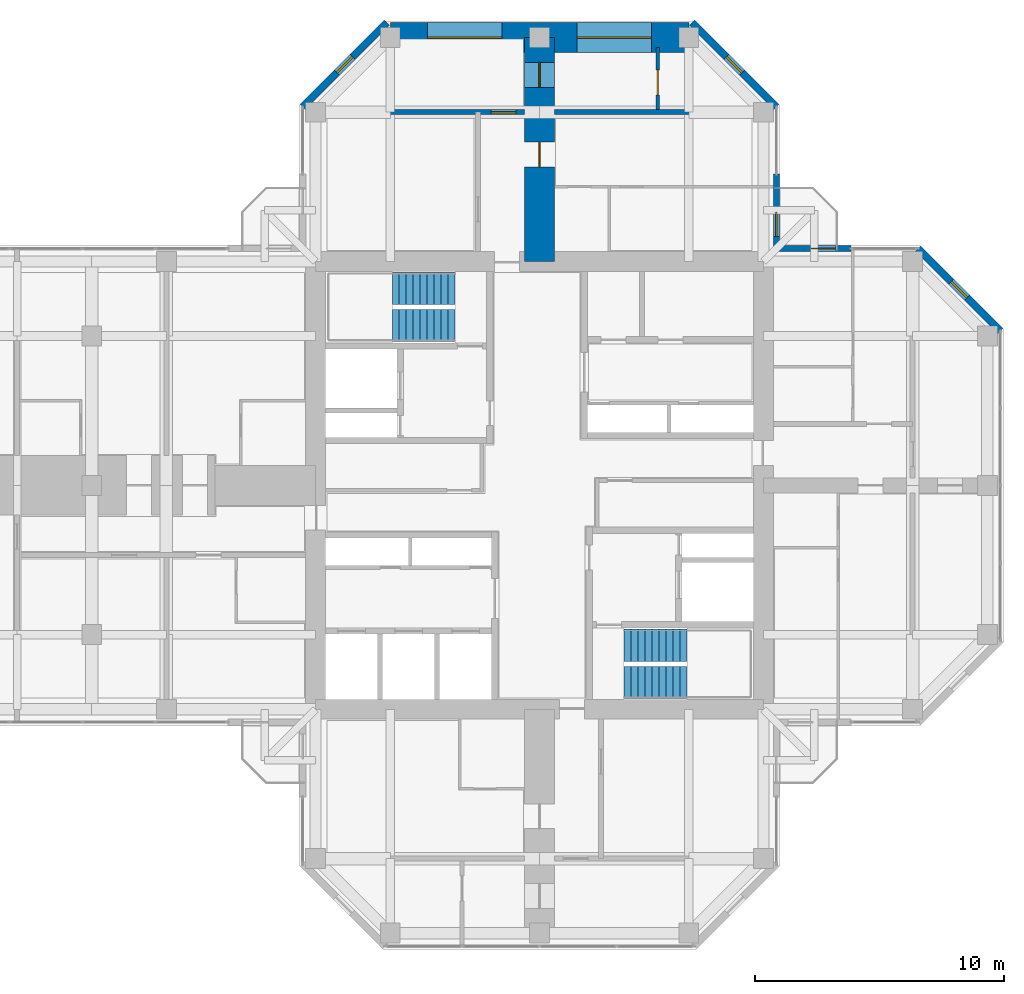
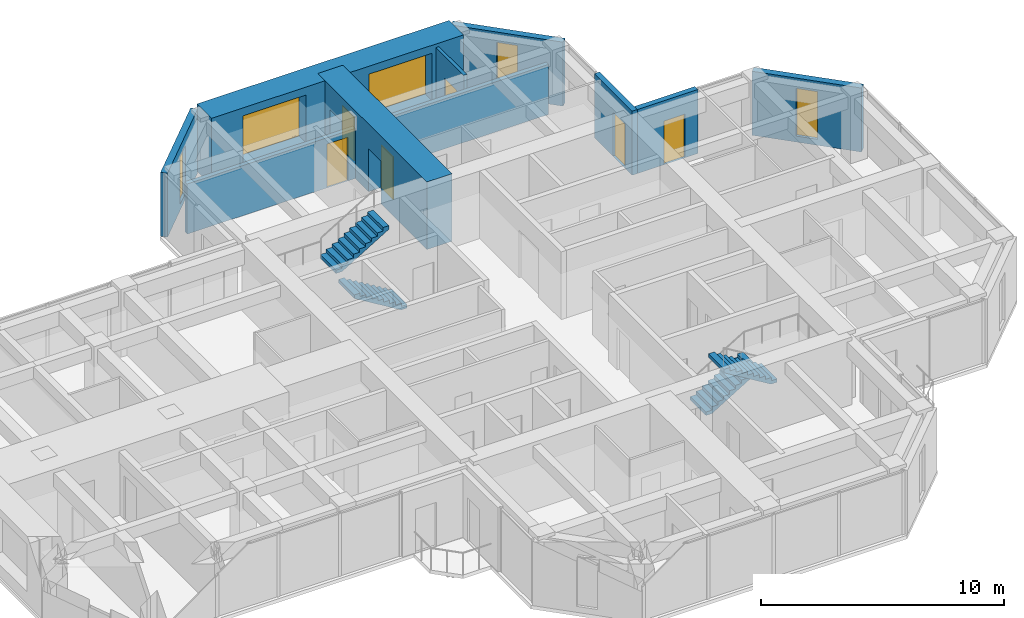
# One storey, part 12 of 13: 10 walls, 6 doors, 5 windows, 4 stair flights, 11 openings, 2 elements without a shape of their own.
"""IFC4 building model written with IfcOpenShell, lengths in metres."""

from ifc_helpers import new_model, si_unit, direction, frame, frame_2d, origin, place, context, subcontext, project, spatial, polyline, rectangle, hollow_rectangle, outline, extrude, material, layer, layer_set, constituent, constituent_set, type_object, element, fill, aggregate, save


model = new_model("IFC4")

# Units and contexts
model_context = context("Model", 3, precision=1e-05, world=origin(), true_north=direction((0.0, 1.0)))
body_context = subcontext(model_context, "Body", "Model", "MODEL_VIEW")
ifc_project = project(units=[si_unit("LENGTHUNIT", "METRE"), si_unit("AREAUNIT", "SQUARE_METRE"), si_unit("VOLUMEUNIT", "CUBIC_METRE"), si_unit("PLANEANGLEUNIT", "RADIAN"), si_unit("MASSUNIT", "GRAM", prefix="KILO")], contexts=[model_context])

# Site, building, storey
site_placement = place(None, origin())
site = spatial("IfcSite", under=ifc_project, at=site_placement, CompositionType="ELEMENT")
building_placement = place(site_placement, origin())
building = spatial("IfcBuilding", under=site, at=building_placement, Name="Torre Cruceta", CompositionType="ELEMENT")
storey_placement = place(building_placement, frame((0.0, 0.0, 245.89990234375)))
storey = spatial("IfcBuildingStorey", under=building, at=storey_placement, Name="L63", CompositionType="ELEMENT", Elevation=245.89990234375)

# Wall, opening, window
ifc_material_1 = material(Name="Concrete G30 (fck 30 MPa)", Category="concrete")
ifc_layer_1 = layer(ifc_material_1, 0.300048828125)
ifc_layer_set_1 = layer_set([ifc_layer_1], Name="Concrete G30 (fck 30 MPa)")
wall_type_1 = type_object("IfcWallType", Name="EXPOSED CONCRETE FACADE WALL 300", PredefinedType="SOLIDWALL", material=ifc_layer_set_1)
wall_1_placement = place(storey_placement, frame((18.52001953125, 6.21533203125, 0.0), z_axis=(0.0, 0.0, 1.0), x_axis=(-0.707106781187, 0.707106781187, 0.0)))
wall_1 = element("IfcWall", 1, at=wall_1_placement, inside=storey, type_object=wall_type_1, Name="EW1 facade wall L63 E chamfer 03", PredefinedType="SOLIDWALL", context=body_context, shape_type="SweptSolid", body=[
    extrude(rectangle(XDim=4.673583984375, YDim=0.300048828125, at=frame_2d((2.3369140625, 0.0))), origin(), (0.0, 0.0, 1.0), 3.22021484375),
])
opening_1_placement = place(wall_1_placement, frame((1.88671875, 0.0, 0.300048828125)))
opening_1 = element("IfcOpeningElement", 2, at=opening_1_placement, cuts=wall_1, Name="Opening WN5", PredefinedType="OPENING", context=body_context, shape_type="SweptSolid", body=[
    extrude(rectangle(XDim=0.89990234375, YDim=2.39990234375, at=frame_2d((0.449951171875, 1.199951171875))), frame((0.0, 0.159912109375, 0.0), z_axis=(0.0, -1.0, 0.0), x_axis=(1.0, 0.0, 0.0)), (0.0, 0.0, 1.0), 0.320068359375),
])
ifc_material_2 = material(Name="Aluminium window frame", Category="aluminium")
ifc_constituent_1 = constituent(ifc_material_2, Name="Frame")
ifc_material_3 = material(Name="Laminated insulating glass unit, low-iron clear", Category="glass")
ifc_constituent_2 = constituent(ifc_material_3, Name="Glazing")
ifc_constituent_set_1 = constituent_set(constituents=[ifc_constituent_1, ifc_constituent_2], Name="Aluminium window")
window_type_1 = type_object("IfcWindowType", Name="CHAMFER SLOT WINDOW 900X2400", PartitioningType="SINGLE_PANEL", PredefinedType="WINDOW", material=ifc_constituent_set_1)
window_1_placement = place(opening_1_placement, origin())
window_1 = element("IfcWindow", 3, at=window_1_placement, inside=storey, type_object=window_type_1, Name="WN5 L63 E 1", OverallHeight=2.39990234375, OverallWidth=0.89990234375, PartitioningType="SINGLE_PANEL", PredefinedType="WINDOW", context=body_context, shape_type="SweptSolid", body=[
    extrude(hollow_rectangle(XDim=0.89990234375, YDim=2.39990234375, WallThickness=0.06005859375, at=frame_2d((0.449951171875, 1.199951171875))), frame((0.0, 0.030029296875, 0.0), z_axis=(0.0, -1.0, 0.0), x_axis=(1.0, 0.0, 0.0)), (0.0, 0.0, 1.0), 0.06005859375),
    extrude(rectangle(XDim=0.77880859375, YDim=2.27880859375, at=frame_2d((0.449951171875, 1.199951171875))), frame((0.0, 0.030029296875, 0.0), z_axis=(0.0, -1.0, 0.0), x_axis=(1.0, 0.0, 0.0)), (0.0, 0.0, 1.0), 0.06005859375),
])
fill(opening_1, window_1)

wall_2_placement = place(storey_placement, frame((9.52001953125, 15.21533203125, 0.0), z_axis=(0.0, 0.0, 1.0), x_axis=(-0.707081278264, 0.707132283189, 0.0)))
wall_2 = element("IfcWall", 4, at=wall_2_placement, inside=storey, type_object=wall_type_1, Name="EW1 facade wall L63 N chamfer 06", PredefinedType="SOLIDWALL", context=body_context, shape_type="SweptSolid", body=[
    extrude(rectangle(XDim=4.78662109375, YDim=0.300048828125, at=frame_2d((2.393310546875, 0.0))), origin(), (0.0, 0.0, 1.0), 3.22021484375),
])
opening_2_placement = place(wall_2_placement, frame((1.943359375, 0.0, 0.300048828125)))
opening_2 = element("IfcOpeningElement", 5, at=opening_2_placement, cuts=wall_2, Name="Opening WN5", PredefinedType="OPENING", context=body_context, shape_type="SweptSolid", body=[
    extrude(rectangle(XDim=0.89990234375, YDim=2.39990234375, at=frame_2d((0.449951171875, 1.199951171875))), frame((0.0, 0.159912109375, 0.0), z_axis=(0.0, -1.0, 0.0), x_axis=(1.0, 0.0, 0.0)), (0.0, 0.0, 1.0), 0.320068359375),
])
window_2_placement = place(opening_2_placement, origin())
window_2 = element("IfcWindow", 6, at=window_2_placement, inside=storey, type_object=window_type_1, Name="WN5 L63 N 1", OverallHeight=2.39990234375, OverallWidth=0.89990234375, PartitioningType="SINGLE_PANEL", PredefinedType="WINDOW", context=body_context, shape_type="SweptSolid", body=[
    extrude(hollow_rectangle(XDim=0.89990234375, YDim=2.39990234375, WallThickness=0.06005859375, at=frame_2d((0.449951171875, 1.199951171875))), frame((0.0, 0.030029296875, 0.0), z_axis=(0.0, -1.0, 0.0), x_axis=(1.0, 0.0, 0.0)), (0.0, 0.0, 1.0), 0.06005859375),
    extrude(rectangle(XDim=0.77880859375, YDim=2.27880859375, at=frame_2d((0.449951171875, 1.199951171875))), frame((0.0, 0.030029296875, 0.0), z_axis=(0.0, -1.0, 0.0), x_axis=(1.0, 0.0, 0.0)), (0.0, 0.0, 1.0), 0.06005859375),
])
fill(opening_2, window_2)

wall_3_placement = place(storey_placement, frame((-6.135498046875, 18.60009765625, 0.0), z_axis=(0.0, 0.0, 1.0), x_axis=(-0.707081278264, -0.707132283189, 0.0)))
wall_3 = element("IfcWall", 7, at=wall_3_placement, inside=storey, type_object=wall_type_1, Name="EW1 facade wall L63 N chamfer 08", PredefinedType="SOLIDWALL", context=body_context, shape_type="SweptSolid", body=[
    extrude(rectangle(XDim=4.78662109375, YDim=0.300048828125, at=frame_2d((2.393310546875, 0.0))), origin(), (0.0, 0.0, 1.0), 3.22021484375),
])
opening_3_placement = place(wall_3_placement, frame((1.943359375, 0.0, 0.300048828125)))
opening_3 = element("IfcOpeningElement", 8, at=opening_3_placement, cuts=wall_3, Name="Opening WN5", PredefinedType="OPENING", context=body_context, shape_type="SweptSolid", body=[
    extrude(rectangle(XDim=0.89990234375, YDim=2.39990234375, at=frame_2d((0.449951171875, 1.199951171875))), frame((0.0, 0.159912109375, 0.0), z_axis=(0.0, -1.0, 0.0), x_axis=(1.0, 0.0, 0.0)), (0.0, 0.0, 1.0), 0.320068359375),
])
window_3_placement = place(opening_3_placement, origin())
window_3 = element("IfcWindow", 9, at=window_3_placement, inside=storey, type_object=window_type_1, Name="WN5 L63 N 1", OverallHeight=2.39990234375, OverallWidth=0.89990234375, PartitioningType="SINGLE_PANEL", PredefinedType="WINDOW", context=body_context, shape_type="SweptSolid", body=[
    extrude(hollow_rectangle(XDim=0.89990234375, YDim=2.39990234375, WallThickness=0.06005859375, at=frame_2d((0.449951171875, 1.199951171875))), frame((0.0, 0.030029296875, 0.0), z_axis=(0.0, -1.0, 0.0), x_axis=(1.0, 0.0, 0.0)), (0.0, 0.0, 1.0), 0.06005859375),
    extrude(rectangle(XDim=0.77880859375, YDim=2.27880859375, at=frame_2d((0.449951171875, 1.199951171875))), frame((0.0, 0.030029296875, 0.0), z_axis=(0.0, -1.0, 0.0), x_axis=(1.0, 0.0, 0.0)), (0.0, 0.0, 1.0), 0.06005859375),
])
fill(opening_3, window_3)

# Wall, openings, windows
ifc_material_4 = material(Name="Concrete G60 (fck 60 MPa)", Category="concrete")
ifc_layer_2 = layer(ifc_material_4, 1.199951171875)
ifc_layer_set_2 = layer_set([ifc_layer_2], Name="Concrete G60 (fck 60 MPa)")
wall_type_2 = type_object("IfcWallType", Name="NOSE WALL 1200 G60", PredefinedType="SHEAR", material=ifc_layer_set_2)
wall_4_placement = place(storey_placement, frame((6.0, 18.0, 0.0), z_axis=(0.0, 0.0, 1.0), x_axis=(-1.0, 0.0, 0.0)))
wall_4 = element("IfcWall", 10, at=wall_4_placement, inside=storey, type_object=wall_type_2, Name="NW1 nose wall L63 N", PredefinedType="SHEAR", context=body_context, shape_type="SweptSolid", body=[
    extrude(rectangle(XDim=12.0, YDim=1.199951171875, at=frame_2d((6.0, 0.0))), origin(), (0.0, 0.0, 1.0), 3.400146484375),
])
opening_4_placement = place(wall_4_placement, frame((1.5, 0.0, 0.60009765625)))
opening_4 = element("IfcOpeningElement", 11, at=opening_4_placement, cuts=wall_4, Name="Opening WN6", PredefinedType="OPENING", context=body_context, shape_type="SweptSolid", body=[
    extrude(rectangle(XDim=3.0, YDim=2.39990234375, at=frame_2d((1.5, 1.199951171875))), frame((0.0, 0.60986328125, 0.0), z_axis=(0.0, -1.0, 0.0), x_axis=(1.0, 0.0, 0.0)), (0.0, 0.0, 1.0), 1.219970703125),
])
opening_5_placement = place(wall_4_placement, frame((7.5, 0.0, 0.60009765625)))
opening_5 = element("IfcOpeningElement", 12, at=opening_5_placement, cuts=wall_4, Name="Opening WN6", PredefinedType="OPENING", context=body_context, shape_type="SweptSolid", body=[
    extrude(rectangle(XDim=3.0, YDim=2.39990234375, at=frame_2d((1.5, 1.199951171875))), frame((0.0, 0.60986328125, 0.0), z_axis=(0.0, -1.0, 0.0), x_axis=(1.0, 0.0, 0.0)), (0.0, 0.0, 1.0), 1.219970703125),
])
ifc_material_5 = material(Name="Aluminium window frame", Category="aluminium")
ifc_constituent_3 = constituent(ifc_material_5, Name="Frame")
ifc_material_6 = material(Name="Laminated insulating glass unit, low-iron clear", Category="glass")
ifc_constituent_4 = constituent(ifc_material_6, Name="Glazing")
ifc_constituent_set_2 = constituent_set(constituents=[ifc_constituent_3, ifc_constituent_4], Name="Aluminium window")
window_type_2 = type_object("IfcWindowType", Name="NOSE WALL WINDOW 3000X2400", PartitioningType="SINGLE_PANEL", PredefinedType="WINDOW", material=ifc_constituent_set_2)
window_4_placement = place(opening_4_placement, origin())
window_4 = element("IfcWindow", 13, at=window_4_placement, inside=storey, type_object=window_type_2, Name="WN6 L63 N 1", OverallHeight=2.39990234375, OverallWidth=3.0, PartitioningType="SINGLE_PANEL", PredefinedType="WINDOW", context=body_context, shape_type="SweptSolid", body=[
    extrude(hollow_rectangle(XDim=3.0, YDim=2.39990234375, WallThickness=0.06005859375, at=frame_2d((1.5, 1.199951171875))), frame((0.0, 0.030029296875, 0.0), z_axis=(0.0, -1.0, 0.0), x_axis=(1.0, 0.0, 0.0)), (0.0, 0.0, 1.0), 0.06005859375),
    extrude(rectangle(XDim=2.87890625, YDim=2.27880859375, at=frame_2d((1.5, 1.199951171875))), frame((0.0, 0.030029296875, 0.0), z_axis=(0.0, -1.0, 0.0), x_axis=(1.0, 0.0, 0.0)), (0.0, 0.0, 1.0), 0.06005859375),
])
fill(opening_4, window_4)
window_5_placement = place(opening_5_placement, origin())
window_5 = element("IfcWindow", 14, at=window_5_placement, inside=storey, type_object=window_type_2, Name="WN6 L63 N 2", OverallHeight=2.39990234375, OverallWidth=3.0, PartitioningType="SINGLE_PANEL", PredefinedType="WINDOW", context=body_context, shape_type="SweptSolid", body=[
    extrude(hollow_rectangle(XDim=3.0, YDim=2.39990234375, WallThickness=0.06005859375, at=frame_2d((1.5, 1.199951171875))), frame((0.0, 0.030029296875, 0.0), z_axis=(0.0, -1.0, 0.0), x_axis=(1.0, 0.0, 0.0)), (0.0, 0.0, 1.0), 0.06005859375),
    extrude(rectangle(XDim=2.87890625, YDim=2.27880859375, at=frame_2d((1.5, 1.199951171875))), frame((0.0, 0.030029296875, 0.0), z_axis=(0.0, -1.0, 0.0), x_axis=(1.0, 0.0, 0.0)), (0.0, 0.0, 1.0), 0.06005859375),
])
fill(opening_5, window_5)

# Wall, opening, door
ifc_material_7 = material(Name="Plasterboard on steel studs", Category="steel")
ifc_layer_3 = layer(ifc_material_7, 0.14990234375)
ifc_layer_set_3 = layer_set([ifc_layer_3], Name="Plasterboard on steel studs")
wall_type_3 = type_object("IfcWallType", Name="PARTITION 150", PredefinedType="PARTITIONING", material=ifc_layer_set_3)
wall_5_placement = place(storey_placement, frame((4.75, 15.10009765625, 0.0), z_axis=(0.0, 0.0, 1.0), x_axis=(0.0, 1.0, 0.0)))
wall_5 = element("IfcWall", 15, at=wall_5_placement, inside=storey, type_object=wall_type_3, Name="PT1 L63-N-END2X", PredefinedType="PARTITIONING", context=body_context, shape_type="SweptSolid", body=[
    extrude(rectangle(XDim=2.5, YDim=0.14990234375, at=frame_2d((1.25, 0.0))), origin(), (0.0, 0.0, 1.0), 3.22021484375),
])
opening_6_placement = place(wall_5_placement, frame((0.60009765625, 0.0, 0.0)))
opening_6 = element("IfcOpeningElement", 16, at=opening_6_placement, cuts=wall_5, Name="Opening D3", PredefinedType="OPENING", context=body_context, shape_type="SweptSolid", body=[
    extrude(rectangle(XDim=1.0, YDim=2.10009765625, at=frame_2d((0.5, 1.050048828125))), frame((0.0, 0.0849609375, 0.0), z_axis=(0.0, -1.0, 0.0), x_axis=(1.0, 0.0, 0.0)), (0.0, 0.0, 1.0), 0.169921875),
])
ifc_material_8 = material(Name="Steel DX51D", Category="steel")
ifc_constituent_5 = constituent(ifc_material_8, Name="Leaf and frame")
ifc_material_9 = material(Name="Polyester powder coating", Category="paint")
ifc_constituent_6 = constituent(ifc_material_9, Name="Finish")
ifc_constituent_set_3 = constituent_set(constituents=[ifc_constituent_5, ifc_constituent_6], Name="Steel fire door")
door_type_1 = type_object("IfcDoorType", Name="FIRE DOOR 1000X2100", OperationType="SINGLE_SWING_LEFT", PredefinedType="DOOR", material=ifc_constituent_set_3)
door_1_placement = place(opening_6_placement, frame((1.0, 0.0, 0.0), z_axis=(0.0, 0.0, 1.0), x_axis=(-1.0, 0.0, 0.0)))
door_1 = element("IfcDoor", 17, at=door_1_placement, inside=storey, type_object=door_type_1, Name="D3 L63-N-END2X-D1", OperationType="SINGLE_SWING_RIGHT", OverallHeight=2.10009765625, OverallWidth=1.0, PredefinedType="DOOR", context=body_context, shape_type="SweptSolid", body=[
    extrude(rectangle(XDim=1.0, YDim=2.10009765625, at=frame_2d((0.5, 1.050048828125))), frame((0.0, 0.025146484375, 0.0), z_axis=(0.0, -1.0, 0.0), x_axis=(1.0, 0.0, 0.0)), (0.0, 0.0, 1.0), 0.050048828125),
])
fill(opening_6, door_1)

# Wall, openings, doors
ifc_material_10 = material(Name="Concrete G60 (fck 60 MPa)", Category="concrete")
ifc_layer_4 = layer(ifc_material_10, 1.199951171875)
ifc_layer_set_4 = layer_set([ifc_layer_4], Name="Concrete G60 (fck 60 MPa)")
wall_type_4 = type_object("IfcWallType", Name="SPINE WALL 1200 G60", PredefinedType="SHEAR", material=ifc_layer_set_4)
wall_6_placement = place(storey_placement, frame((0.0, 9.0, 0.0), z_axis=(0.0, 0.0, 1.0), x_axis=(0.0, 1.0, 0.0)))
wall_6 = element("IfcWall", 18, at=wall_6_placement, inside=storey, type_object=wall_type_4, Name="SW3 spine wall L63 N", PredefinedType="SHEAR", context=body_context, shape_type="SweptSolid", body=[
    extrude(rectangle(XDim=9.0, YDim=1.199951171875, at=frame_2d((4.5, 0.0))), origin(), (0.0, 0.0, 1.0), 3.400146484375),
])
opening_7_placement = place(wall_6_placement, frame((3.800048828125, 0.0, 0.0)))
opening_7 = element("IfcOpeningElement", 19, at=opening_7_placement, cuts=wall_6, Name="Opening D6", PredefinedType="OPENING", context=body_context, shape_type="SweptSolid", body=[
    extrude(rectangle(XDim=1.0, YDim=2.14990234375, at=frame_2d((0.5, 1.074951171875))), frame((0.0, 0.60986328125, 0.0), z_axis=(0.0, -1.0, 0.0), x_axis=(1.0, 0.0, 0.0)), (0.0, 0.0, 1.0), 1.219970703125),
])
opening_8_placement = place(wall_6_placement, frame((7.0, 0.0, 0.0)))
opening_8 = element("IfcOpeningElement", 20, at=opening_8_placement, cuts=wall_6, Name="Opening D14", PredefinedType="OPENING", context=body_context, shape_type="SweptSolid", body=[
    extrude(rectangle(XDim=1.0, YDim=2.199951171875, at=frame_2d((0.5, 1.10009765625))), frame((0.0, 0.60986328125, 0.0), z_axis=(0.0, -1.0, 0.0), x_axis=(1.0, 0.0, 0.0)), (0.0, 0.0, 1.0), 1.219970703125),
])
ifc_material_11 = material(Name="Steel DX51D", Category="steel")
ifc_constituent_7 = constituent(ifc_material_11, Name="Leaf and frame")
ifc_material_12 = material(Name="Polyester powder coating", Category="paint")
ifc_constituent_8 = constituent(ifc_material_12, Name="Finish")
ifc_material_13 = material(Name="Fire-resisting glass", Category="glass")
ifc_constituent_9 = constituent(ifc_material_13, Name="Vision panel")
ifc_constituent_set_4 = constituent_set(constituents=[ifc_constituent_7, ifc_constituent_8, ifc_constituent_9], Name="Steel fire door with vision panel")
door_type_2 = type_object("IfcDoorType", Name="FIRE DOOR VISION PANEL 1000X2200", OperationType="SINGLE_SWING_RIGHT", PredefinedType="DOOR", material=ifc_constituent_set_4)
door_2_placement = place(opening_8_placement, frame((1.0, 0.0, 0.0), z_axis=(0.0, 0.0, 1.0), x_axis=(-1.0, 0.0, 0.0)))
door_2 = element("IfcDoor", 21, at=door_2_placement, inside=storey, type_object=door_type_2, Name="D14 L63-N-SP2", OperationType="SINGLE_SWING_LEFT", OverallHeight=2.199951171875, OverallWidth=1.0, PredefinedType="DOOR", context=body_context, shape_type="SweptSolid", body=[
    extrude(rectangle(XDim=1.0, YDim=2.199951171875, at=frame_2d((0.5, 1.10009765625))), frame((0.0, 0.025146484375, 0.0), z_axis=(0.0, -1.0, 0.0), x_axis=(1.0, 0.0, 0.0)), (0.0, 0.0, 1.0), 0.050048828125),
])
fill(opening_8, door_2)
ifc_material_14 = material(Name="Timber fire door", Category="wood")
door_type_3 = type_object("IfcDoorType", Name="UNIT ENTRANCE DOOR 1000X2150", OperationType="SINGLE_SWING_LEFT", PredefinedType="DOOR", material=ifc_material_14)
door_3_placement = place(opening_7_placement, frame((1.0, 0.0, 0.0), z_axis=(0.0, 0.0, 1.0), x_axis=(-1.0, 0.0, 0.0)))
door_3 = element("IfcDoor", 22, at=door_3_placement, inside=storey, type_object=door_type_3, Name="D6 L63-N-SP1", OperationType="SINGLE_SWING_RIGHT", OverallHeight=2.14990234375, OverallWidth=1.0, PredefinedType="DOOR", context=body_context, shape_type="SweptSolid", body=[
    extrude(rectangle(XDim=1.0, YDim=2.14990234375, at=frame_2d((0.5, 1.074951171875))), frame((0.0, 0.025146484375, 0.0), z_axis=(0.0, -1.0, 0.0), x_axis=(1.0, 0.0, 0.0)), (0.0, 0.0, 1.0), 0.050048828125),
])
fill(opening_7, door_3)

# Wall
ifc_material_15 = material(Name="Concrete G25 (fck 25 MPa)", Category="concrete")
ifc_layer_5 = layer(ifc_material_15, 0.199951171875)
ifc_layer_set_5 = layer_set([ifc_layer_5], Name="Concrete G25 (fck 25 MPa)")
wall_type_5 = type_object("IfcWallType", Name="UNIT SEPARATING WALL 200", PredefinedType="SOLIDWALL", material=ifc_layer_set_5)
wall_7_placement = place(storey_placement, frame((8.60009765625, 15.0, 0.0), z_axis=(0.0, 0.0, 1.0), x_axis=(-1.0, 0.0, 0.0)))
element("IfcWall", 23, at=wall_7_placement, inside=storey, type_object=wall_type_5, Name="PT2 L63-N-ENDa", PredefinedType="SOLIDWALL", context=body_context, shape_type="SweptSolid", body=[
    extrude(rectangle(XDim=8.0, YDim=0.199951171875, at=frame_2d((4.0, 0.0))), origin(), (0.0, 0.0, 1.0), 2.52001953125),
])

# Wall, opening, door
wall_8_placement = place(storey_placement, frame((-0.60009765625, 15.0, 0.0), z_axis=(0.0, 0.0, 1.0), x_axis=(-1.0, 0.0, 0.0)))
wall_8 = element("IfcWall", 24, at=wall_8_placement, inside=storey, type_object=wall_type_5, Name="PT2 L63-N-ENDb", PredefinedType="SOLIDWALL", context=body_context, shape_type="SweptSolid", body=[
    extrude(rectangle(XDim=8.0, YDim=0.199951171875, at=frame_2d((4.0, 0.0))), origin(), (0.0, 0.0, 1.0), 2.52001953125),
])
opening_9_placement = place(wall_8_placement, frame((0.35009765625, 0.0, 0.0)))
opening_9 = element("IfcOpeningElement", 25, at=opening_9_placement, cuts=wall_8, Name="Opening D14", PredefinedType="OPENING", context=body_context, shape_type="SweptSolid", body=[
    extrude(rectangle(XDim=1.0, YDim=2.199951171875, at=frame_2d((0.5, 1.10009765625))), frame((0.0, 0.10986328125, 0.0), z_axis=(0.0, -1.0, 0.0), x_axis=(1.0, 0.0, 0.0)), (0.0, 0.0, 1.0), 0.219970703125),
])
door_4_placement = place(opening_9_placement, frame((1.0, 0.0, 0.0), z_axis=(0.0, 0.0, 1.0), x_axis=(-1.0, 0.0, 0.0)))
door_4 = element("IfcDoor", 26, at=door_4_placement, inside=storey, type_object=door_type_2, Name="D14 L63-N-ENDb-D1", OperationType="SINGLE_SWING_RIGHT", OverallHeight=2.199951171875, OverallWidth=1.0, PredefinedType="DOOR", context=body_context, shape_type="SweptSolid", body=[
    extrude(rectangle(XDim=1.0, YDim=2.199951171875, at=frame_2d((0.5, 1.10009765625))), frame((0.0, 0.025146484375, 0.0), z_axis=(0.0, -1.0, 0.0), x_axis=(1.0, 0.0, 0.0)), (0.0, 0.0, 1.0), 0.050048828125),
])
fill(opening_9, door_4)

ifc_material_16 = material(Name="Concrete G30 (fck 30 MPa)", Category="concrete")
ifc_layer_6 = layer(ifc_material_16, 0.25)
ifc_layer_set_6 = layer_set([ifc_layer_6], Name="Concrete G30 (fck 30 MPa)")
wall_type_6 = type_object("IfcWallType", Name="WINTER GARDEN WALL 250", PredefinedType="SOLIDWALL", material=ifc_layer_set_6)
wall_9_placement = place(storey_placement, frame((12.52001953125, 9.52001953125, 0.0), z_axis=(0.0, 0.0, 1.0), x_axis=(-1.0, 0.0, 0.0)))
wall_9 = element("IfcWall", 27, at=wall_9_placement, inside=storey, type_object=wall_type_6, Name="EW2 winter garden wall L63 04", PredefinedType="SOLIDWALL", context=body_context, shape_type="SweptSolid", body=[
    extrude(rectangle(XDim=2.875, YDim=0.25, at=frame_2d((1.4375, 0.0))), origin(), (0.0, 0.0, 1.0), 3.22021484375),
])
opening_10_placement = place(wall_9_placement, frame((0.60009765625, 0.0, 0.0)))
opening_10 = element("IfcOpeningElement", 28, at=opening_10_placement, cuts=wall_9, Name="Opening D10", PredefinedType="OPENING", context=body_context, shape_type="SweptSolid", body=[
    extrude(rectangle(XDim=1.0, YDim=2.199951171875, at=frame_2d((0.5, 1.10009765625))), frame((0.0, 0.135009765625, 0.0), z_axis=(0.0, -1.0, 0.0), x_axis=(1.0, 0.0, 0.0)), (0.0, 0.0, 1.0), 0.27001953125),
])
ifc_material_17 = material(Name="Aluminium door frame", Category="aluminium")
ifc_constituent_10 = constituent(ifc_material_17, Name="Frame")
ifc_material_18 = material(Name="Laminated safety glass", Category="glass")
ifc_constituent_11 = constituent(ifc_material_18, Name="Glazing")
ifc_constituent_set_5 = constituent_set(constituents=[ifc_constituent_10, ifc_constituent_11], Name="Aluminium glazed door")
door_type_4 = type_object("IfcDoorType", Name="BALCONY DOOR 1000X2200", OperationType="SINGLE_SWING_RIGHT", PredefinedType="DOOR", material=ifc_constituent_set_5)
door_5_placement = place(opening_10_placement, origin())
door_5 = element("IfcDoor", 29, at=door_5_placement, inside=storey, type_object=door_type_4, Name="D10 balcony door L63 04", OperationType="SINGLE_SWING_LEFT", OverallHeight=2.199951171875, OverallWidth=1.0, PredefinedType="DOOR", context=body_context, shape_type="SweptSolid", body=[
    extrude(hollow_rectangle(XDim=1.0, YDim=2.199951171875, WallThickness=0.06005859375, at=frame_2d((0.5, 1.10009765625))), frame((0.0, 0.02490234375, 0.0), z_axis=(0.0, -1.0, 0.0), x_axis=(1.0, 0.0, 0.0)), (0.0, 0.0, 1.0), 0.050048828125),
    extrude(rectangle(XDim=0.87890625, YDim=2.078857421875, at=frame_2d((0.5, 1.10009765625))), frame((0.0, 0.02490234375, 0.0), z_axis=(0.0, -1.0, 0.0), x_axis=(1.0, 0.0, 0.0)), (0.0, 0.0, 1.0), 0.050048828125),
])
fill(opening_10, door_5)

wall_10_placement = place(storey_placement, frame((9.52001953125, 9.39501953125, 0.0), z_axis=(0.0, 0.0, 1.0), x_axis=(0.0, 1.0, 0.0)))
wall_10 = element("IfcWall", 30, at=wall_10_placement, inside=storey, type_object=wall_type_6, Name="EW2 winter garden wall L63 05", PredefinedType="SOLIDWALL", context=body_context, shape_type="SweptSolid", body=[
    extrude(rectangle(XDim=3.125, YDim=0.25, at=frame_2d((1.5625, 0.0))), origin(), (0.0, 0.0, 1.0), 3.22021484375),
])
opening_11_placement = place(wall_10_placement, frame((0.60009765625, 0.0, 0.0)))
opening_11 = element("IfcOpeningElement", 31, at=opening_11_placement, cuts=wall_10, Name="Opening D10", PredefinedType="OPENING", context=body_context, shape_type="SweptSolid", body=[
    extrude(rectangle(XDim=1.0, YDim=2.199951171875, at=frame_2d((0.5, 1.10009765625))), frame((0.0, 0.135009765625, 0.0), z_axis=(0.0, -1.0, 0.0), x_axis=(1.0, 0.0, 0.0)), (0.0, 0.0, 1.0), 0.27001953125),
])
door_6_placement = place(opening_11_placement, origin())
door_6 = element("IfcDoor", 32, at=door_6_placement, inside=storey, type_object=door_type_4, Name="D10 balcony door L63 05", OperationType="SINGLE_SWING_RIGHT", OverallHeight=2.199951171875, OverallWidth=1.0, PredefinedType="DOOR", context=body_context, shape_type="SweptSolid", body=[
    extrude(hollow_rectangle(XDim=1.0, YDim=2.199951171875, WallThickness=0.06005859375, at=frame_2d((0.5, 1.10009765625))), frame((0.0, 0.02490234375, 0.0), z_axis=(0.0, -1.0, 0.0), x_axis=(1.0, 0.0, 0.0)), (0.0, 0.0, 1.0), 0.050048828125),
    extrude(rectangle(XDim=0.87890625, YDim=2.078857421875, at=frame_2d((0.5, 1.10009765625))), frame((0.0, 0.02490234375, 0.0), z_axis=(0.0, -1.0, 0.0), x_axis=(1.0, 0.0, 0.0)), (0.0, 0.0, 1.0), 0.050048828125),
])
fill(opening_11, door_6)

# Stair, stair flights
ifc_material_19 = material(Name="Concrete G30 (fck 30 MPa)", Category="concrete")
stair_type = type_object("IfcStairType", Name="STAIR HALF-TURN 1300", PredefinedType="HALF_TURN_STAIR", material=ifc_material_19)
stair_1_placement = place(storey_placement, origin())
stair_1 = element("IfcStair", 33, at=stair_1_placement, inside=storey, type_object=stair_type, Name="Stair ST1 L63", PredefinedType="HALF_TURN_STAIR")
ifc_material_20 = material(Name="Concrete G30 (fck 30 MPa)", Category="concrete")
stair_flight_type = type_object("IfcStairFlightType", Name="STAIR FLIGHT 1300", PredefinedType="STRAIGHT", material=ifc_material_20)
stair_flight_1_placement = place(storey_placement, frame((-3.39990234375, 6.425048828125, 0.0), z_axis=(0.0, 0.0, 1.0), x_axis=(-1.0, 0.0, 0.0)))
stair_flight_1 = element("IfcStairFlight", 34, at=stair_flight_1_placement, type_object=stair_flight_type, Name="ST1 flight 1", NumberOfRisers=10, NumberOfTreads=9, PredefinedType="STRAIGHT", RiserHeight=0.17, TreadLength=0.28, context=body_context, shape_type="SweptSolid", body=[
    extrude(outline(polyline([(0.0, 0.0), (0.0, 0.169921875), (0.280029296875, 0.169921875), (0.280029296875, 0.340087890625), (0.56005859375, 0.340087890625), (0.56005859375, 0.510009765625), (0.840087890625, 0.510009765625), (0.840087890625, 0.679931640625), (1.1201171875, 0.679931640625), (1.1201171875, 0.85009765625), (1.39990234375, 0.85009765625), (1.39990234375, 1.02001953125), (1.679931640625, 1.02001953125), (1.679931640625, 1.18994140625), (1.9599609375, 1.18994140625), (1.9599609375, 1.360107421875), (2.239990234375, 1.360107421875), (2.239990234375, 1.530029296875), (2.52001953125, 1.530029296875), (2.52001953125, 1.699951171875), (2.52001953125, 1.354736328125), (0.288818359375, 0.0), (0.0, 0.0)])), frame((0.0, 0.64990234375, 0.0), z_axis=(0.0, -1.0, 0.0), x_axis=(1.0, 0.0, 0.0)), (0.0, 0.0, 1.0), 1.300048828125),
])
stair_flight_2_placement = place(storey_placement, frame((-5.919921875, 7.925048828125, 1.7001953125), z_axis=(0.0, 0.0, 1.0), x_axis=(1.0, 0.0, 0.0)))
stair_flight_2 = element("IfcStairFlight", 35, at=stair_flight_2_placement, type_object=stair_flight_type, Name="ST1 flight 2", NumberOfRisers=10, NumberOfTreads=9, PredefinedType="STRAIGHT", RiserHeight=0.17, TreadLength=0.28, context=body_context, shape_type="SweptSolid", body=[
    extrude(outline(polyline([(0.0, 0.0), (0.0, 0.169921875), (0.280029296875, 0.169921875), (0.280029296875, 0.340087890625), (0.56005859375, 0.340087890625), (0.56005859375, 0.510009765625), (0.840087890625, 0.510009765625), (0.840087890625, 0.679931640625), (1.1201171875, 0.679931640625), (1.1201171875, 0.85009765625), (1.39990234375, 0.85009765625), (1.39990234375, 1.02001953125), (1.679931640625, 1.02001953125), (1.679931640625, 1.18994140625), (1.9599609375, 1.18994140625), (1.9599609375, 1.360107421875), (2.239990234375, 1.360107421875), (2.239990234375, 1.530029296875), (2.52001953125, 1.530029296875), (2.52001953125, 1.699951171875), (2.52001953125, 1.354736328125), (0.288818359375, 0.0), (0.0, 0.0)])), frame((0.0, 0.64990234375, 0.0), z_axis=(0.0, -1.0, 0.0), x_axis=(1.0, 0.0, 0.0)), (0.0, 0.0, 1.0), 1.300048828125),
])
aggregate(stair_1, [stair_flight_1, stair_flight_2])

stair_2_placement = place(storey_placement, origin())
stair_2 = element("IfcStair", 36, at=stair_2_placement, inside=storey, type_object=stair_type, Name="Stair ST2 L63", PredefinedType="HALF_TURN_STAIR")
stair_flight_3_placement = place(storey_placement, frame((3.39990234375, -6.425048828125, 0.0), z_axis=(0.0, 0.0, 1.0), x_axis=(1.0, 0.0, 0.0)))
stair_flight_3 = element("IfcStairFlight", 37, at=stair_flight_3_placement, type_object=stair_flight_type, Name="ST2 flight 1", NumberOfRisers=10, NumberOfTreads=9, PredefinedType="STRAIGHT", RiserHeight=0.17, TreadLength=0.28, context=body_context, shape_type="SweptSolid", body=[
    extrude(outline(polyline([(0.0, 0.0), (0.0, 0.169921875), (0.280029296875, 0.169921875), (0.280029296875, 0.340087890625), (0.56005859375, 0.340087890625), (0.56005859375, 0.510009765625), (0.840087890625, 0.510009765625), (0.840087890625, 0.679931640625), (1.1201171875, 0.679931640625), (1.1201171875, 0.85009765625), (1.39990234375, 0.85009765625), (1.39990234375, 1.02001953125), (1.679931640625, 1.02001953125), (1.679931640625, 1.18994140625), (1.9599609375, 1.18994140625), (1.9599609375, 1.360107421875), (2.239990234375, 1.360107421875), (2.239990234375, 1.530029296875), (2.52001953125, 1.530029296875), (2.52001953125, 1.699951171875), (2.52001953125, 1.354736328125), (0.288818359375, 0.0), (0.0, 0.0)])), frame((0.0, 0.64990234375, 0.0), z_axis=(0.0, -1.0, 0.0), x_axis=(1.0, 0.0, 0.0)), (0.0, 0.0, 1.0), 1.300048828125),
])
stair_flight_4_placement = place(storey_placement, frame((5.919921875, -7.925048828125, 1.7001953125), z_axis=(0.0, 0.0, 1.0), x_axis=(-1.0, 0.0, 0.0)))
stair_flight_4 = element("IfcStairFlight", 38, at=stair_flight_4_placement, type_object=stair_flight_type, Name="ST2 flight 2", NumberOfRisers=10, NumberOfTreads=9, PredefinedType="STRAIGHT", RiserHeight=0.17, TreadLength=0.28, context=body_context, shape_type="SweptSolid", body=[
    extrude(outline(polyline([(0.0, 0.0), (0.0, 0.169921875), (0.280029296875, 0.169921875), (0.280029296875, 0.340087890625), (0.56005859375, 0.340087890625), (0.56005859375, 0.510009765625), (0.840087890625, 0.510009765625), (0.840087890625, 0.679931640625), (1.1201171875, 0.679931640625), (1.1201171875, 0.85009765625), (1.39990234375, 0.85009765625), (1.39990234375, 1.02001953125), (1.679931640625, 1.02001953125), (1.679931640625, 1.18994140625), (1.9599609375, 1.18994140625), (1.9599609375, 1.360107421875), (2.239990234375, 1.360107421875), (2.239990234375, 1.530029296875), (2.52001953125, 1.530029296875), (2.52001953125, 1.699951171875), (2.52001953125, 1.354736328125), (0.288818359375, 0.0), (0.0, 0.0)])), frame((0.0, 0.64990234375, 0.0), z_axis=(0.0, -1.0, 0.0), x_axis=(1.0, 0.0, 0.0)), (0.0, 0.0, 1.0), 1.300048828125),
])
aggregate(stair_2, [stair_flight_3, stair_flight_4])

save(model, "model.ifc")
